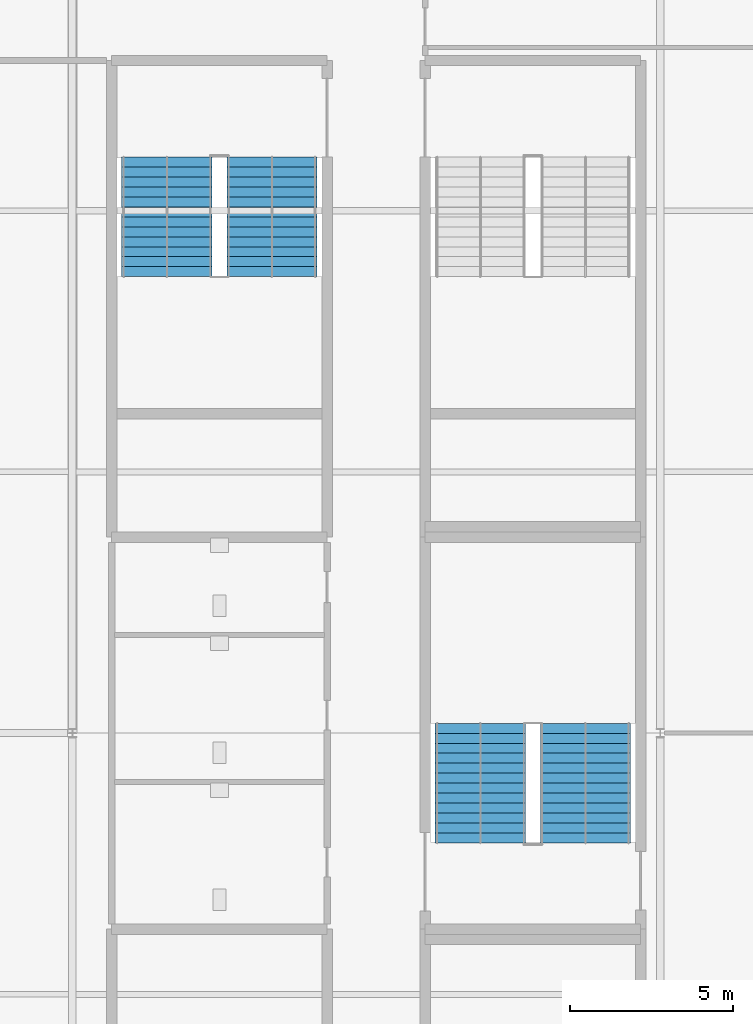
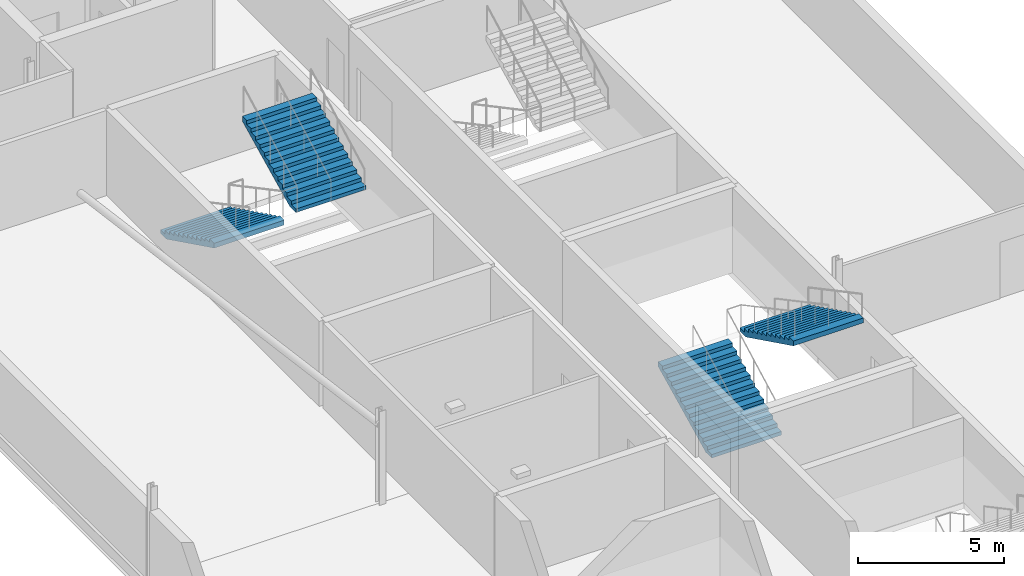
# One storey, part 22 of 30: 4 stair flights, 2 elements without a shape of their own.
"""IFC4 building model written with IfcOpenShell, lengths in metres."""

from ifc_helpers import new_model, si_unit, direction, frame, origin, place, context, subcontext, project, spatial, polygons, material, type_object, element, aggregate, save


model = new_model("IFC4")

# Units and contexts
model_context = context("Model", 3, precision=1e-05, world=origin(), true_north=direction((0.0, 1.0)))
body_context = subcontext(model_context, "Body", "Model", "MODEL_VIEW")
ifc_project = project(units=[si_unit("LENGTHUNIT", "METRE"), si_unit("AREAUNIT", "SQUARE_METRE"), si_unit("VOLUMEUNIT", "CUBIC_METRE"), si_unit("PLANEANGLEUNIT", "RADIAN"), si_unit("MASSUNIT", "GRAM", prefix="KILO")], contexts=[model_context])

# Site, building, storey
site_placement = place(None, origin())
site = spatial("IfcSite", under=ifc_project, at=site_placement, CompositionType="ELEMENT")
building_placement = place(site_placement, origin())
building = spatial("IfcBuilding", under=site, at=building_placement, Name="Kisiwana Market Hall", CompositionType="ELEMENT")
storey_placement = place(building_placement, frame((0.0, 0.0, 54.0)))
storey = spatial("IfcBuildingStorey", under=building, at=storey_placement, Name="L12", CompositionType="ELEMENT", Elevation=54.0)

# Stair, stair flights
ifc_material_1 = material(Name="Concrete C32/40", Category="concrete")
stair_type = type_object("IfcStairType", Name="ST-ESC-3900", PredefinedType="TWO_STRAIGHT_RUN_STAIR", material=ifc_material_1)
stair_1_placement = place(storey_placement, origin())
stair_1 = element("IfcStair", 1, at=stair_1_placement, inside=storey, type_object=stair_type, Name="Escape stair ST-W4-L12", PredefinedType="TWO_STRAIGHT_RUN_STAIR")
ifc_material_2 = material(Name="Concrete C32/40", Category="concrete")
stair_flight_type = type_object("IfcStairFlightType", Name="SF-ESC-3900", PredefinedType="STRAIGHT", material=ifc_material_2)
stair_flight_1_placement = place(storey_placement, frame((11.889892578125, 77.639892578125, 0.0), z_axis=(0.0, 0.0, 1.0), x_axis=(0.0, -1.0, 0.0)))
stair_flight_1 = element("IfcStairFlight", 2, at=stair_flight_1_placement, type_object=stair_flight_type, Name="ST-W4-L12 flight 1", NumberOfRisers=13, NumberOfTreads=12, PredefinedType="STRAIGHT", RiserHeight=0.15, TreadLength=0.305, context=body_context, shape_type="Tessellation", body=[
    polygons([(0.0, -1.380127, 0.0), (0.0, -0.690125, 0.0), (0.0, -0.000122, 0.0), (0.0, 0.68988, 0.0), (0.0, 1.379883, 0.0), (0.0, -1.380127, 0.149902), (0.0, -0.690125, 0.149902), (0.0, -0.000122, 0.149902), (0.0, 0.68988, 0.149902), (0.0, 1.379883, 0.149902), (0.304932, -1.380127, 0.149902), (0.304932, -0.690125, 0.149902), (0.304932, -0.000122, 0.149902), (0.304932, 0.68988, 0.149902), (0.304932, 1.379883, 0.149902), (0.304932, -1.380127, 0.300049), (0.304932, -0.690125, 0.300049), (0.304932, -0.000122, 0.300049), (0.304932, 0.68988, 0.300049), (0.304932, 1.379883, 0.300049), (0.610107, -1.380127, 0.300049), (0.610107, -0.690125, 0.300049), (0.610107, -0.000122, 0.300049), (0.610107, 0.68988, 0.300049), (0.610107, 1.379883, 0.300049), (0.610107, -1.380127, 0.449951), (0.610107, -0.690125, 0.449951), (0.610107, -0.000122, 0.449951), (0.610107, 0.68988, 0.449951), (0.610107, 1.379883, 0.449951), (0.915039, -1.380127, 0.449951), (0.915039, -0.690125, 0.449951), (0.915039, -0.000122, 0.449951), (0.915039, 0.68988, 0.449951), (0.915039, 1.379883, 0.449951), (0.915039, -1.380127, 0.600098), (0.915039, -0.690125, 0.600098), (0.915039, -0.000122, 0.600098), (0.915039, 0.68988, 0.600098), (0.915039, 1.379883, 0.600098), (1.219971, -1.380127, 0.600098), (1.219971, -0.690125, 0.600098), (1.219971, -0.000122, 0.600098), (1.219971, 0.68988, 0.600098), (1.219971, 1.379883, 0.600098), (1.219971, -1.380127, 0.75), (1.219971, -0.690125, 0.75), (1.219971, -0.000122, 0.75), (1.219971, 0.68988, 0.75), (1.219971, 1.379883, 0.75), (1.524902, -1.380127, 0.75), (1.524902, -0.690125, 0.75), (1.524902, -0.000122, 0.75), (1.524902, 0.68988, 0.75), (1.524902, 1.379883, 0.75), (1.524902, -1.380127, 0.899902), (1.524902, -0.690125, 0.899902), (1.524902, -0.000122, 0.899902), (1.524902, 0.68988, 0.899902), (1.524902, 1.379883, 0.899902), (1.830078, -1.380127, 0.899902), (1.830078, -0.690125, 0.899902), (1.830078, -0.000122, 0.899902), (1.830078, 0.68988, 0.899902), (1.830078, 1.379883, 0.899902), (1.830078, -1.380127, 1.050049), (1.830078, -0.690125, 1.050049), (1.830078, -0.000122, 1.050049), (1.830078, 0.68988, 1.050049), (1.830078, 1.379883, 1.050049), (2.13501, -1.380127, 1.050049), (2.13501, -0.690125, 1.050049), (2.13501, -0.000122, 1.050049), (2.13501, 0.68988, 1.050049), (2.13501, 1.379883, 1.050049), (2.13501, -1.380127, 1.199951), (2.13501, -0.690125, 1.199951), (2.13501, -0.000122, 1.199951), (2.13501, 0.68988, 1.199951), (2.13501, 1.379883, 1.199951), (2.439941, -1.380127, 1.199951), (2.439941, -0.690125, 1.199951), (2.439941, -0.000122, 1.199951), (2.439941, 0.68988, 1.199951), (2.439941, 1.379883, 1.199951), (2.439941, -1.380127, 1.350098), (2.439941, -0.690125, 1.350098), (2.439941, -0.000122, 1.350098), (2.439941, 0.68988, 1.350098), (2.439941, 1.379883, 1.350098), (2.745117, -1.380127, 1.350098), (2.745117, -0.690125, 1.350098), (2.745117, -0.000122, 1.350098), (2.745117, 0.68988, 1.350098), (2.745117, 1.379883, 1.350098), (2.745117, -1.380127, 1.5), (2.745117, -0.690125, 1.5), (2.745117, -0.000122, 1.5), (2.745117, 0.68988, 1.5), (2.745117, 1.379883, 1.5), (3.050049, -1.380127, 1.5), (3.050049, -0.690125, 1.5), (3.050049, -0.000122, 1.5), (3.050049, 0.68988, 1.5), (3.050049, 1.379883, 1.5), (3.050049, -1.380127, 1.649902), (3.050049, -0.690125, 1.649902), (3.050049, -0.000122, 1.649902), (3.050049, 0.68988, 1.649902), (3.050049, 1.379883, 1.649902), (3.35498, -1.380127, 1.649902), (3.35498, -0.690125, 1.649902), (3.35498, -0.000122, 1.649902), (3.35498, 0.68988, 1.649902), (3.35498, 1.379883, 1.649902), (3.35498, -1.380127, 1.800049), (3.35498, -0.690125, 1.800049), (3.35498, -0.000122, 1.800049), (3.35498, 0.68988, 1.800049), (3.35498, 1.379883, 1.800049), (3.659912, -1.380127, 1.800049), (3.659912, -0.690125, 1.800049), (3.659912, -0.000122, 1.800049), (3.659912, 0.68988, 1.800049), (3.659912, 1.379883, 1.800049), (3.659912, -1.380127, 1.599365), (3.659912, -0.690125, 1.599365), (3.659912, -0.000122, 1.599365), (3.659912, 0.68988, 1.599365), (3.659912, 1.379883, 1.599365), (0.407715, -1.380127, 0.0), (0.407715, -0.690125, 0.0), (0.407715, -0.000122, 0.0), (0.407715, 0.68988, 0.0), (0.407715, 1.379883, 0.0)], [[[1, 6, 7, 2]], [[2, 7, 8, 3]], [[3, 8, 9, 4]], [[4, 9, 10, 5]], [[6, 11, 12, 7]], [[7, 12, 13, 8]], [[8, 13, 14, 9]], [[9, 14, 15, 10]], [[11, 16, 17, 12]], [[12, 17, 18, 13]], [[13, 18, 19, 14]], [[14, 19, 20, 15]], [[16, 21, 22, 17]], [[17, 22, 23, 18]], [[18, 23, 24, 19]], [[19, 24, 25, 20]], [[21, 26, 27, 22]], [[22, 27, 28, 23]], [[23, 28, 29, 24]], [[24, 29, 30, 25]], [[26, 31, 32, 27]], [[27, 32, 33, 28]], [[28, 33, 34, 29]], [[29, 34, 35, 30]], [[31, 36, 37, 32]], [[32, 37, 38, 33]], [[33, 38, 39, 34]], [[34, 39, 40, 35]], [[36, 41, 42, 37]], [[37, 42, 43, 38]], [[38, 43, 44, 39]], [[39, 44, 45, 40]], [[41, 46, 47, 42]], [[42, 47, 48, 43]], [[43, 48, 49, 44]], [[44, 49, 50, 45]], [[46, 51, 52, 47]], [[47, 52, 53, 48]], [[48, 53, 54, 49]], [[49, 54, 55, 50]], [[51, 56, 57, 52]], [[52, 57, 58, 53]], [[53, 58, 59, 54]], [[54, 59, 60, 55]], [[56, 61, 62, 57]], [[57, 62, 63, 58]], [[58, 63, 64, 59]], [[59, 64, 65, 60]], [[61, 66, 67, 62]], [[62, 67, 68, 63]], [[63, 68, 69, 64]], [[64, 69, 70, 65]], [[66, 71, 72, 67]], [[67, 72, 73, 68]], [[68, 73, 74, 69]], [[69, 74, 75, 70]], [[71, 76, 77, 72]], [[72, 77, 78, 73]], [[73, 78, 79, 74]], [[74, 79, 80, 75]], [[76, 81, 82, 77]], [[77, 82, 83, 78]], [[78, 83, 84, 79]], [[79, 84, 85, 80]], [[81, 86, 87, 82]], [[82, 87, 88, 83]], [[83, 88, 89, 84]], [[84, 89, 90, 85]], [[86, 91, 92, 87]], [[87, 92, 93, 88]], [[88, 93, 94, 89]], [[89, 94, 95, 90]], [[91, 96, 97, 92]], [[92, 97, 98, 93]], [[93, 98, 99, 94]], [[94, 99, 100, 95]], [[96, 101, 102, 97]], [[97, 102, 103, 98]], [[98, 103, 104, 99]], [[99, 104, 105, 100]], [[101, 106, 107, 102]], [[102, 107, 108, 103]], [[103, 108, 109, 104]], [[104, 109, 110, 105]], [[106, 111, 112, 107]], [[107, 112, 113, 108]], [[108, 113, 114, 109]], [[109, 114, 115, 110]], [[111, 116, 117, 112]], [[112, 117, 118, 113]], [[113, 118, 119, 114]], [[114, 119, 120, 115]], [[116, 121, 122, 117]], [[117, 122, 123, 118]], [[118, 123, 124, 119]], [[119, 124, 125, 120]], [[121, 126, 127, 122]], [[122, 127, 128, 123]], [[123, 128, 129, 124]], [[124, 129, 130, 125]], [[126, 131, 132, 127]], [[127, 132, 133, 128]], [[128, 133, 134, 129]], [[129, 134, 135, 130]], [[131, 1, 2, 132]], [[132, 2, 3, 133]], [[133, 3, 4, 134]], [[134, 4, 5, 135]], [[131, 126, 121, 116, 111, 106, 101, 96, 91, 86, 81, 76, 71, 66, 61, 56, 51, 46, 41, 36, 31, 26, 21, 16, 11, 6, 1]], [[5, 10, 15, 20, 25, 30, 35, 40, 45, 50, 55, 60, 65, 70, 75, 80, 85, 90, 95, 100, 105, 110, 115, 120, 125, 130, 135]]], closed=True),
])
stair_flight_2_placement = place(storey_placement, frame((15.110107421875, 73.97998046875, 1.949951171875), z_axis=(0.0, 0.0, 1.0), x_axis=(0.0, 1.0, 0.0)))
stair_flight_2 = element("IfcStairFlight", 3, at=stair_flight_2_placement, type_object=stair_flight_type, Name="ST-W4-L12 flight 2", NumberOfRisers=13, NumberOfTreads=12, PredefinedType="STRAIGHT", RiserHeight=0.15, TreadLength=0.305, context=body_context, shape_type="Tessellation", body=[
    polygons([(0.0, -1.380127, 0.0), (0.0, -0.690125, 0.0), (0.0, -0.000122, 0.0), (0.0, 0.68988, 0.0), (0.0, 1.379883, 0.0), (0.0, -1.380127, 0.149902), (0.0, -0.690125, 0.149902), (0.0, -0.000122, 0.149902), (0.0, 0.68988, 0.149902), (0.0, 1.379883, 0.149902), (0.304932, -1.380127, 0.149902), (0.304932, -0.690125, 0.149902), (0.304932, -0.000122, 0.149902), (0.304932, 0.68988, 0.149902), (0.304932, 1.379883, 0.149902), (0.304932, -1.380127, 0.300049), (0.304932, -0.690125, 0.300049), (0.304932, -0.000122, 0.300049), (0.304932, 0.68988, 0.300049), (0.304932, 1.379883, 0.300049), (0.610107, -1.380127, 0.300049), (0.610107, -0.690125, 0.300049), (0.610107, -0.000122, 0.300049), (0.610107, 0.68988, 0.300049), (0.610107, 1.379883, 0.300049), (0.610107, -1.380127, 0.449951), (0.610107, -0.690125, 0.449951), (0.610107, -0.000122, 0.449951), (0.610107, 0.68988, 0.449951), (0.610107, 1.379883, 0.449951), (0.915039, -1.380127, 0.449951), (0.915039, -0.690125, 0.449951), (0.915039, -0.000122, 0.449951), (0.915039, 0.68988, 0.449951), (0.915039, 1.379883, 0.449951), (0.915039, -1.380127, 0.600098), (0.915039, -0.690125, 0.600098), (0.915039, -0.000122, 0.600098), (0.915039, 0.68988, 0.600098), (0.915039, 1.379883, 0.600098), (1.219971, -1.380127, 0.600098), (1.219971, -0.690125, 0.600098), (1.219971, -0.000122, 0.600098), (1.219971, 0.68988, 0.600098), (1.219971, 1.379883, 0.600098), (1.219971, -1.380127, 0.75), (1.219971, -0.690125, 0.75), (1.219971, -0.000122, 0.75), (1.219971, 0.68988, 0.75), (1.219971, 1.379883, 0.75), (1.524902, -1.380127, 0.75), (1.524902, -0.690125, 0.75), (1.524902, -0.000122, 0.75), (1.524902, 0.68988, 0.75), (1.524902, 1.379883, 0.75), (1.524902, -1.380127, 0.899902), (1.524902, -0.690125, 0.899902), (1.524902, -0.000122, 0.899902), (1.524902, 0.68988, 0.899902), (1.524902, 1.379883, 0.899902), (1.830078, -1.380127, 0.899902), (1.830078, -0.690125, 0.899902), (1.830078, -0.000122, 0.899902), (1.830078, 0.68988, 0.899902), (1.830078, 1.379883, 0.899902), (1.830078, -1.380127, 1.050049), (1.830078, -0.690125, 1.050049), (1.830078, -0.000122, 1.050049), (1.830078, 0.68988, 1.050049), (1.830078, 1.379883, 1.050049), (2.13501, -1.380127, 1.050049), (2.13501, -0.690125, 1.050049), (2.13501, -0.000122, 1.050049), (2.13501, 0.68988, 1.050049), (2.13501, 1.379883, 1.050049), (2.13501, -1.380127, 1.199951), (2.13501, -0.690125, 1.199951), (2.13501, -0.000122, 1.199951), (2.13501, 0.68988, 1.199951), (2.13501, 1.379883, 1.199951), (2.439941, -1.380127, 1.199951), (2.439941, -0.690125, 1.199951), (2.439941, -0.000122, 1.199951), (2.439941, 0.68988, 1.199951), (2.439941, 1.379883, 1.199951), (2.439941, -1.380127, 1.350098), (2.439941, -0.690125, 1.350098), (2.439941, -0.000122, 1.350098), (2.439941, 0.68988, 1.350098), (2.439941, 1.379883, 1.350098), (2.745117, -1.380127, 1.350098), (2.745117, -0.690125, 1.350098), (2.745117, -0.000122, 1.350098), (2.745117, 0.68988, 1.350098), (2.745117, 1.379883, 1.350098), (2.745117, -1.380127, 1.5), (2.745117, -0.690125, 1.5), (2.745117, -0.000122, 1.5), (2.745117, 0.68988, 1.5), (2.745117, 1.379883, 1.5), (3.050049, -1.380127, 1.5), (3.050049, -0.690125, 1.5), (3.050049, -0.000122, 1.5), (3.050049, 0.68988, 1.5), (3.050049, 1.379883, 1.5), (3.050049, -1.380127, 1.649902), (3.050049, -0.690125, 1.649902), (3.050049, -0.000122, 1.649902), (3.050049, 0.68988, 1.649902), (3.050049, 1.379883, 1.649902), (3.35498, -1.380127, 1.649902), (3.35498, -0.690125, 1.649902), (3.35498, -0.000122, 1.649902), (3.35498, 0.68988, 1.649902), (3.35498, 1.379883, 1.649902), (3.35498, -1.380127, 1.800049), (3.35498, -0.690125, 1.800049), (3.35498, -0.000122, 1.800049), (3.35498, 0.68988, 1.800049), (3.35498, 1.379883, 1.800049), (3.659912, -1.380127, 1.800049), (3.659912, -0.690125, 1.800049), (3.659912, -0.000122, 1.800049), (3.659912, 0.68988, 1.800049), (3.659912, 1.379883, 1.800049), (3.659912, -1.380127, 1.599365), (3.659912, -0.690125, 1.599365), (3.659912, -0.000122, 1.599365), (3.659912, 0.68988, 1.599365), (3.659912, 1.379883, 1.599365), (0.407715, -1.380127, 0.0), (0.407715, -0.690125, 0.0), (0.407715, -0.000122, 0.0), (0.407715, 0.68988, 0.0), (0.407715, 1.379883, 0.0)], [[[1, 6, 7, 2]], [[2, 7, 8, 3]], [[3, 8, 9, 4]], [[4, 9, 10, 5]], [[6, 11, 12, 7]], [[7, 12, 13, 8]], [[8, 13, 14, 9]], [[9, 14, 15, 10]], [[11, 16, 17, 12]], [[12, 17, 18, 13]], [[13, 18, 19, 14]], [[14, 19, 20, 15]], [[16, 21, 22, 17]], [[17, 22, 23, 18]], [[18, 23, 24, 19]], [[19, 24, 25, 20]], [[21, 26, 27, 22]], [[22, 27, 28, 23]], [[23, 28, 29, 24]], [[24, 29, 30, 25]], [[26, 31, 32, 27]], [[27, 32, 33, 28]], [[28, 33, 34, 29]], [[29, 34, 35, 30]], [[31, 36, 37, 32]], [[32, 37, 38, 33]], [[33, 38, 39, 34]], [[34, 39, 40, 35]], [[36, 41, 42, 37]], [[37, 42, 43, 38]], [[38, 43, 44, 39]], [[39, 44, 45, 40]], [[41, 46, 47, 42]], [[42, 47, 48, 43]], [[43, 48, 49, 44]], [[44, 49, 50, 45]], [[46, 51, 52, 47]], [[47, 52, 53, 48]], [[48, 53, 54, 49]], [[49, 54, 55, 50]], [[51, 56, 57, 52]], [[52, 57, 58, 53]], [[53, 58, 59, 54]], [[54, 59, 60, 55]], [[56, 61, 62, 57]], [[57, 62, 63, 58]], [[58, 63, 64, 59]], [[59, 64, 65, 60]], [[61, 66, 67, 62]], [[62, 67, 68, 63]], [[63, 68, 69, 64]], [[64, 69, 70, 65]], [[66, 71, 72, 67]], [[67, 72, 73, 68]], [[68, 73, 74, 69]], [[69, 74, 75, 70]], [[71, 76, 77, 72]], [[72, 77, 78, 73]], [[73, 78, 79, 74]], [[74, 79, 80, 75]], [[76, 81, 82, 77]], [[77, 82, 83, 78]], [[78, 83, 84, 79]], [[79, 84, 85, 80]], [[81, 86, 87, 82]], [[82, 87, 88, 83]], [[83, 88, 89, 84]], [[84, 89, 90, 85]], [[86, 91, 92, 87]], [[87, 92, 93, 88]], [[88, 93, 94, 89]], [[89, 94, 95, 90]], [[91, 96, 97, 92]], [[92, 97, 98, 93]], [[93, 98, 99, 94]], [[94, 99, 100, 95]], [[96, 101, 102, 97]], [[97, 102, 103, 98]], [[98, 103, 104, 99]], [[99, 104, 105, 100]], [[101, 106, 107, 102]], [[102, 107, 108, 103]], [[103, 108, 109, 104]], [[104, 109, 110, 105]], [[106, 111, 112, 107]], [[107, 112, 113, 108]], [[108, 113, 114, 109]], [[109, 114, 115, 110]], [[111, 116, 117, 112]], [[112, 117, 118, 113]], [[113, 118, 119, 114]], [[114, 119, 120, 115]], [[116, 121, 122, 117]], [[117, 122, 123, 118]], [[118, 123, 124, 119]], [[119, 124, 125, 120]], [[121, 126, 127, 122]], [[122, 127, 128, 123]], [[123, 128, 129, 124]], [[124, 129, 130, 125]], [[126, 131, 132, 127]], [[127, 132, 133, 128]], [[128, 133, 134, 129]], [[129, 134, 135, 130]], [[131, 1, 2, 132]], [[132, 2, 3, 133]], [[133, 3, 4, 134]], [[134, 4, 5, 135]], [[131, 126, 121, 116, 111, 106, 101, 96, 91, 86, 81, 76, 71, 66, 61, 56, 51, 46, 41, 36, 31, 26, 21, 16, 11, 6, 1]], [[5, 10, 15, 20, 25, 30, 35, 40, 45, 50, 55, 60, 65, 70, 75, 80, 85, 90, 95, 100, 105, 110, 115, 120, 125, 130, 135]]], closed=True),
])
aggregate(stair_1, [stair_flight_1, stair_flight_2])

stair_2_placement = place(storey_placement, origin())
stair_2 = element("IfcStair", 4, at=stair_2_placement, inside=storey, type_object=stair_type, Name="Escape stair ST-W5-L12", PredefinedType="TWO_STRAIGHT_RUN_STAIR")
stair_flight_3_placement = place(storey_placement, frame((21.489990234375, 56.639892578125, 0.0), z_axis=(0.0, 0.0, 1.0), x_axis=(0.0, 1.0, 0.0)))
stair_flight_3 = element("IfcStairFlight", 5, at=stair_flight_3_placement, type_object=stair_flight_type, Name="ST-W5-L12 flight 1", NumberOfRisers=13, NumberOfTreads=12, PredefinedType="STRAIGHT", RiserHeight=0.15, TreadLength=0.305, context=body_context, shape_type="Tessellation", body=[
    polygons([(0.0, -1.380127, 0.0), (0.0, -0.690125, 0.0), (0.0, -0.000122, 0.0), (0.0, 0.68988, 0.0), (0.0, 1.379883, 0.0), (0.0, -1.380127, 0.149902), (0.0, -0.690125, 0.149902), (0.0, -0.000122, 0.149902), (0.0, 0.68988, 0.149902), (0.0, 1.379883, 0.149902), (0.304932, -1.380127, 0.149902), (0.304932, -0.690125, 0.149902), (0.304932, -0.000122, 0.149902), (0.304932, 0.68988, 0.149902), (0.304932, 1.379883, 0.149902), (0.304932, -1.380127, 0.300049), (0.304932, -0.690125, 0.300049), (0.304932, -0.000122, 0.300049), (0.304932, 0.68988, 0.300049), (0.304932, 1.379883, 0.300049), (0.610107, -1.380127, 0.300049), (0.610107, -0.690125, 0.300049), (0.610107, -0.000122, 0.300049), (0.610107, 0.68988, 0.300049), (0.610107, 1.379883, 0.300049), (0.610107, -1.380127, 0.449951), (0.610107, -0.690125, 0.449951), (0.610107, -0.000122, 0.449951), (0.610107, 0.68988, 0.449951), (0.610107, 1.379883, 0.449951), (0.915039, -1.380127, 0.449951), (0.915039, -0.690125, 0.449951), (0.915039, -0.000122, 0.449951), (0.915039, 0.68988, 0.449951), (0.915039, 1.379883, 0.449951), (0.915039, -1.380127, 0.600098), (0.915039, -0.690125, 0.600098), (0.915039, -0.000122, 0.600098), (0.915039, 0.68988, 0.600098), (0.915039, 1.379883, 0.600098), (1.219971, -1.380127, 0.600098), (1.219971, -0.690125, 0.600098), (1.219971, -0.000122, 0.600098), (1.219971, 0.68988, 0.600098), (1.219971, 1.379883, 0.600098), (1.219971, -1.380127, 0.75), (1.219971, -0.690125, 0.75), (1.219971, -0.000122, 0.75), (1.219971, 0.68988, 0.75), (1.219971, 1.379883, 0.75), (1.524902, -1.380127, 0.75), (1.524902, -0.690125, 0.75), (1.524902, -0.000122, 0.75), (1.524902, 0.68988, 0.75), (1.524902, 1.379883, 0.75), (1.524902, -1.380127, 0.899902), (1.524902, -0.690125, 0.899902), (1.524902, -0.000122, 0.899902), (1.524902, 0.68988, 0.899902), (1.524902, 1.379883, 0.899902), (1.830078, -1.380127, 0.899902), (1.830078, -0.690125, 0.899902), (1.830078, -0.000122, 0.899902), (1.830078, 0.68988, 0.899902), (1.830078, 1.379883, 0.899902), (1.830078, -1.380127, 1.050049), (1.830078, -0.690125, 1.050049), (1.830078, -0.000122, 1.050049), (1.830078, 0.68988, 1.050049), (1.830078, 1.379883, 1.050049), (2.13501, -1.380127, 1.050049), (2.13501, -0.690125, 1.050049), (2.13501, -0.000122, 1.050049), (2.13501, 0.68988, 1.050049), (2.13501, 1.379883, 1.050049), (2.13501, -1.380127, 1.199951), (2.13501, -0.690125, 1.199951), (2.13501, -0.000122, 1.199951), (2.13501, 0.68988, 1.199951), (2.13501, 1.379883, 1.199951), (2.439941, -1.380127, 1.199951), (2.439941, -0.690125, 1.199951), (2.439941, -0.000122, 1.199951), (2.439941, 0.68988, 1.199951), (2.439941, 1.379883, 1.199951), (2.439941, -1.380127, 1.350098), (2.439941, -0.690125, 1.350098), (2.439941, -0.000122, 1.350098), (2.439941, 0.68988, 1.350098), (2.439941, 1.379883, 1.350098), (2.745117, -1.380127, 1.350098), (2.745117, -0.690125, 1.350098), (2.745117, -0.000122, 1.350098), (2.745117, 0.68988, 1.350098), (2.745117, 1.379883, 1.350098), (2.745117, -1.380127, 1.5), (2.745117, -0.690125, 1.5), (2.745117, -0.000122, 1.5), (2.745117, 0.68988, 1.5), (2.745117, 1.379883, 1.5), (3.050049, -1.380127, 1.5), (3.050049, -0.690125, 1.5), (3.050049, -0.000122, 1.5), (3.050049, 0.68988, 1.5), (3.050049, 1.379883, 1.5), (3.050049, -1.380127, 1.649902), (3.050049, -0.690125, 1.649902), (3.050049, -0.000122, 1.649902), (3.050049, 0.68988, 1.649902), (3.050049, 1.379883, 1.649902), (3.35498, -1.380127, 1.649902), (3.35498, -0.690125, 1.649902), (3.35498, -0.000122, 1.649902), (3.35498, 0.68988, 1.649902), (3.35498, 1.379883, 1.649902), (3.35498, -1.380127, 1.800049), (3.35498, -0.690125, 1.800049), (3.35498, -0.000122, 1.800049), (3.35498, 0.68988, 1.800049), (3.35498, 1.379883, 1.800049), (3.659912, -1.380127, 1.800049), (3.659912, -0.690125, 1.800049), (3.659912, -0.000122, 1.800049), (3.659912, 0.68988, 1.800049), (3.659912, 1.379883, 1.800049), (3.659912, -1.380127, 1.599365), (3.659912, -0.690125, 1.599365), (3.659912, -0.000122, 1.599365), (3.659912, 0.68988, 1.599365), (3.659912, 1.379883, 1.599365), (0.407715, -1.380127, 0.0), (0.407715, -0.690125, 0.0), (0.407715, -0.000122, 0.0), (0.407715, 0.68988, 0.0), (0.407715, 1.379883, 0.0)], [[[1, 6, 7, 2]], [[2, 7, 8, 3]], [[3, 8, 9, 4]], [[4, 9, 10, 5]], [[6, 11, 12, 7]], [[7, 12, 13, 8]], [[8, 13, 14, 9]], [[9, 14, 15, 10]], [[11, 16, 17, 12]], [[12, 17, 18, 13]], [[13, 18, 19, 14]], [[14, 19, 20, 15]], [[16, 21, 22, 17]], [[17, 22, 23, 18]], [[18, 23, 24, 19]], [[19, 24, 25, 20]], [[21, 26, 27, 22]], [[22, 27, 28, 23]], [[23, 28, 29, 24]], [[24, 29, 30, 25]], [[26, 31, 32, 27]], [[27, 32, 33, 28]], [[28, 33, 34, 29]], [[29, 34, 35, 30]], [[31, 36, 37, 32]], [[32, 37, 38, 33]], [[33, 38, 39, 34]], [[34, 39, 40, 35]], [[36, 41, 42, 37]], [[37, 42, 43, 38]], [[38, 43, 44, 39]], [[39, 44, 45, 40]], [[41, 46, 47, 42]], [[42, 47, 48, 43]], [[43, 48, 49, 44]], [[44, 49, 50, 45]], [[46, 51, 52, 47]], [[47, 52, 53, 48]], [[48, 53, 54, 49]], [[49, 54, 55, 50]], [[51, 56, 57, 52]], [[52, 57, 58, 53]], [[53, 58, 59, 54]], [[54, 59, 60, 55]], [[56, 61, 62, 57]], [[57, 62, 63, 58]], [[58, 63, 64, 59]], [[59, 64, 65, 60]], [[61, 66, 67, 62]], [[62, 67, 68, 63]], [[63, 68, 69, 64]], [[64, 69, 70, 65]], [[66, 71, 72, 67]], [[67, 72, 73, 68]], [[68, 73, 74, 69]], [[69, 74, 75, 70]], [[71, 76, 77, 72]], [[72, 77, 78, 73]], [[73, 78, 79, 74]], [[74, 79, 80, 75]], [[76, 81, 82, 77]], [[77, 82, 83, 78]], [[78, 83, 84, 79]], [[79, 84, 85, 80]], [[81, 86, 87, 82]], [[82, 87, 88, 83]], [[83, 88, 89, 84]], [[84, 89, 90, 85]], [[86, 91, 92, 87]], [[87, 92, 93, 88]], [[88, 93, 94, 89]], [[89, 94, 95, 90]], [[91, 96, 97, 92]], [[92, 97, 98, 93]], [[93, 98, 99, 94]], [[94, 99, 100, 95]], [[96, 101, 102, 97]], [[97, 102, 103, 98]], [[98, 103, 104, 99]], [[99, 104, 105, 100]], [[101, 106, 107, 102]], [[102, 107, 108, 103]], [[103, 108, 109, 104]], [[104, 109, 110, 105]], [[106, 111, 112, 107]], [[107, 112, 113, 108]], [[108, 113, 114, 109]], [[109, 114, 115, 110]], [[111, 116, 117, 112]], [[112, 117, 118, 113]], [[113, 118, 119, 114]], [[114, 119, 120, 115]], [[116, 121, 122, 117]], [[117, 122, 123, 118]], [[118, 123, 124, 119]], [[119, 124, 125, 120]], [[121, 126, 127, 122]], [[122, 127, 128, 123]], [[123, 128, 129, 124]], [[124, 129, 130, 125]], [[126, 131, 132, 127]], [[127, 132, 133, 128]], [[128, 133, 134, 129]], [[129, 134, 135, 130]], [[131, 1, 2, 132]], [[132, 2, 3, 133]], [[133, 3, 4, 134]], [[134, 4, 5, 135]], [[131, 126, 121, 116, 111, 106, 101, 96, 91, 86, 81, 76, 71, 66, 61, 56, 51, 46, 41, 36, 31, 26, 21, 16, 11, 6, 1]], [[5, 10, 15, 20, 25, 30, 35, 40, 45, 50, 55, 60, 65, 70, 75, 80, 85, 90, 95, 100, 105, 110, 115, 120, 125, 130, 135]]], closed=True),
])
stair_flight_4_placement = place(storey_placement, frame((24.7099609375, 60.300048828125, 1.949951171875), z_axis=(0.0, 0.0, 1.0), x_axis=(0.0, -1.0, 0.0)))
stair_flight_4 = element("IfcStairFlight", 6, at=stair_flight_4_placement, type_object=stair_flight_type, Name="ST-W5-L12 flight 2", NumberOfRisers=13, NumberOfTreads=12, PredefinedType="STRAIGHT", RiserHeight=0.15, TreadLength=0.305, context=body_context, shape_type="Tessellation", body=[
    polygons([(0.0, -1.380127, 0.0), (0.0, -0.690125, 0.0), (0.0, -0.000122, 0.0), (0.0, 0.68988, 0.0), (0.0, 1.379883, 0.0), (0.0, -1.380127, 0.149902), (0.0, -0.690125, 0.149902), (0.0, -0.000122, 0.149902), (0.0, 0.68988, 0.149902), (0.0, 1.379883, 0.149902), (0.304932, -1.380127, 0.149902), (0.304932, -0.690125, 0.149902), (0.304932, -0.000122, 0.149902), (0.304932, 0.68988, 0.149902), (0.304932, 1.379883, 0.149902), (0.304932, -1.380127, 0.300049), (0.304932, -0.690125, 0.300049), (0.304932, -0.000122, 0.300049), (0.304932, 0.68988, 0.300049), (0.304932, 1.379883, 0.300049), (0.610107, -1.380127, 0.300049), (0.610107, -0.690125, 0.300049), (0.610107, -0.000122, 0.300049), (0.610107, 0.68988, 0.300049), (0.610107, 1.379883, 0.300049), (0.610107, -1.380127, 0.449951), (0.610107, -0.690125, 0.449951), (0.610107, -0.000122, 0.449951), (0.610107, 0.68988, 0.449951), (0.610107, 1.379883, 0.449951), (0.915039, -1.380127, 0.449951), (0.915039, -0.690125, 0.449951), (0.915039, -0.000122, 0.449951), (0.915039, 0.68988, 0.449951), (0.915039, 1.379883, 0.449951), (0.915039, -1.380127, 0.600098), (0.915039, -0.690125, 0.600098), (0.915039, -0.000122, 0.600098), (0.915039, 0.68988, 0.600098), (0.915039, 1.379883, 0.600098), (1.219971, -1.380127, 0.600098), (1.219971, -0.690125, 0.600098), (1.219971, -0.000122, 0.600098), (1.219971, 0.68988, 0.600098), (1.219971, 1.379883, 0.600098), (1.219971, -1.380127, 0.75), (1.219971, -0.690125, 0.75), (1.219971, -0.000122, 0.75), (1.219971, 0.68988, 0.75), (1.219971, 1.379883, 0.75), (1.524902, -1.380127, 0.75), (1.524902, -0.690125, 0.75), (1.524902, -0.000122, 0.75), (1.524902, 0.68988, 0.75), (1.524902, 1.379883, 0.75), (1.524902, -1.380127, 0.899902), (1.524902, -0.690125, 0.899902), (1.524902, -0.000122, 0.899902), (1.524902, 0.68988, 0.899902), (1.524902, 1.379883, 0.899902), (1.830078, -1.380127, 0.899902), (1.830078, -0.690125, 0.899902), (1.830078, -0.000122, 0.899902), (1.830078, 0.68988, 0.899902), (1.830078, 1.379883, 0.899902), (1.830078, -1.380127, 1.050049), (1.830078, -0.690125, 1.050049), (1.830078, -0.000122, 1.050049), (1.830078, 0.68988, 1.050049), (1.830078, 1.379883, 1.050049), (2.13501, -1.380127, 1.050049), (2.13501, -0.690125, 1.050049), (2.13501, -0.000122, 1.050049), (2.13501, 0.68988, 1.050049), (2.13501, 1.379883, 1.050049), (2.13501, -1.380127, 1.199951), (2.13501, -0.690125, 1.199951), (2.13501, -0.000122, 1.199951), (2.13501, 0.68988, 1.199951), (2.13501, 1.379883, 1.199951), (2.439941, -1.380127, 1.199951), (2.439941, -0.690125, 1.199951), (2.439941, -0.000122, 1.199951), (2.439941, 0.68988, 1.199951), (2.439941, 1.379883, 1.199951), (2.439941, -1.380127, 1.350098), (2.439941, -0.690125, 1.350098), (2.439941, -0.000122, 1.350098), (2.439941, 0.68988, 1.350098), (2.439941, 1.379883, 1.350098), (2.745117, -1.380127, 1.350098), (2.745117, -0.690125, 1.350098), (2.745117, -0.000122, 1.350098), (2.745117, 0.68988, 1.350098), (2.745117, 1.379883, 1.350098), (2.745117, -1.380127, 1.5), (2.745117, -0.690125, 1.5), (2.745117, -0.000122, 1.5), (2.745117, 0.68988, 1.5), (2.745117, 1.379883, 1.5), (3.050049, -1.380127, 1.5), (3.050049, -0.690125, 1.5), (3.050049, -0.000122, 1.5), (3.050049, 0.68988, 1.5), (3.050049, 1.379883, 1.5), (3.050049, -1.380127, 1.649902), (3.050049, -0.690125, 1.649902), (3.050049, -0.000122, 1.649902), (3.050049, 0.68988, 1.649902), (3.050049, 1.379883, 1.649902), (3.35498, -1.380127, 1.649902), (3.35498, -0.690125, 1.649902), (3.35498, -0.000122, 1.649902), (3.35498, 0.68988, 1.649902), (3.35498, 1.379883, 1.649902), (3.35498, -1.380127, 1.800049), (3.35498, -0.690125, 1.800049), (3.35498, -0.000122, 1.800049), (3.35498, 0.68988, 1.800049), (3.35498, 1.379883, 1.800049), (3.659912, -1.380127, 1.800049), (3.659912, -0.690125, 1.800049), (3.659912, -0.000122, 1.800049), (3.659912, 0.68988, 1.800049), (3.659912, 1.379883, 1.800049), (3.659912, -1.380127, 1.599365), (3.659912, -0.690125, 1.599365), (3.659912, -0.000122, 1.599365), (3.659912, 0.68988, 1.599365), (3.659912, 1.379883, 1.599365), (0.407715, -1.380127, 0.0), (0.407715, -0.690125, 0.0), (0.407715, -0.000122, 0.0), (0.407715, 0.68988, 0.0), (0.407715, 1.379883, 0.0)], [[[1, 6, 7, 2]], [[2, 7, 8, 3]], [[3, 8, 9, 4]], [[4, 9, 10, 5]], [[6, 11, 12, 7]], [[7, 12, 13, 8]], [[8, 13, 14, 9]], [[9, 14, 15, 10]], [[11, 16, 17, 12]], [[12, 17, 18, 13]], [[13, 18, 19, 14]], [[14, 19, 20, 15]], [[16, 21, 22, 17]], [[17, 22, 23, 18]], [[18, 23, 24, 19]], [[19, 24, 25, 20]], [[21, 26, 27, 22]], [[22, 27, 28, 23]], [[23, 28, 29, 24]], [[24, 29, 30, 25]], [[26, 31, 32, 27]], [[27, 32, 33, 28]], [[28, 33, 34, 29]], [[29, 34, 35, 30]], [[31, 36, 37, 32]], [[32, 37, 38, 33]], [[33, 38, 39, 34]], [[34, 39, 40, 35]], [[36, 41, 42, 37]], [[37, 42, 43, 38]], [[38, 43, 44, 39]], [[39, 44, 45, 40]], [[41, 46, 47, 42]], [[42, 47, 48, 43]], [[43, 48, 49, 44]], [[44, 49, 50, 45]], [[46, 51, 52, 47]], [[47, 52, 53, 48]], [[48, 53, 54, 49]], [[49, 54, 55, 50]], [[51, 56, 57, 52]], [[52, 57, 58, 53]], [[53, 58, 59, 54]], [[54, 59, 60, 55]], [[56, 61, 62, 57]], [[57, 62, 63, 58]], [[58, 63, 64, 59]], [[59, 64, 65, 60]], [[61, 66, 67, 62]], [[62, 67, 68, 63]], [[63, 68, 69, 64]], [[64, 69, 70, 65]], [[66, 71, 72, 67]], [[67, 72, 73, 68]], [[68, 73, 74, 69]], [[69, 74, 75, 70]], [[71, 76, 77, 72]], [[72, 77, 78, 73]], [[73, 78, 79, 74]], [[74, 79, 80, 75]], [[76, 81, 82, 77]], [[77, 82, 83, 78]], [[78, 83, 84, 79]], [[79, 84, 85, 80]], [[81, 86, 87, 82]], [[82, 87, 88, 83]], [[83, 88, 89, 84]], [[84, 89, 90, 85]], [[86, 91, 92, 87]], [[87, 92, 93, 88]], [[88, 93, 94, 89]], [[89, 94, 95, 90]], [[91, 96, 97, 92]], [[92, 97, 98, 93]], [[93, 98, 99, 94]], [[94, 99, 100, 95]], [[96, 101, 102, 97]], [[97, 102, 103, 98]], [[98, 103, 104, 99]], [[99, 104, 105, 100]], [[101, 106, 107, 102]], [[102, 107, 108, 103]], [[103, 108, 109, 104]], [[104, 109, 110, 105]], [[106, 111, 112, 107]], [[107, 112, 113, 108]], [[108, 113, 114, 109]], [[109, 114, 115, 110]], [[111, 116, 117, 112]], [[112, 117, 118, 113]], [[113, 118, 119, 114]], [[114, 119, 120, 115]], [[116, 121, 122, 117]], [[117, 122, 123, 118]], [[118, 123, 124, 119]], [[119, 124, 125, 120]], [[121, 126, 127, 122]], [[122, 127, 128, 123]], [[123, 128, 129, 124]], [[124, 129, 130, 125]], [[126, 131, 132, 127]], [[127, 132, 133, 128]], [[128, 133, 134, 129]], [[129, 134, 135, 130]], [[131, 1, 2, 132]], [[132, 2, 3, 133]], [[133, 3, 4, 134]], [[134, 4, 5, 135]], [[131, 126, 121, 116, 111, 106, 101, 96, 91, 86, 81, 76, 71, 66, 61, 56, 51, 46, 41, 36, 31, 26, 21, 16, 11, 6, 1]], [[5, 10, 15, 20, 25, 30, 35, 40, 45, 50, 55, 60, 65, 70, 75, 80, 85, 90, 95, 100, 105, 110, 115, 120, 125, 130, 135]]], closed=True),
])
aggregate(stair_2, [stair_flight_3, stair_flight_4])

save(model, "model.ifc")
